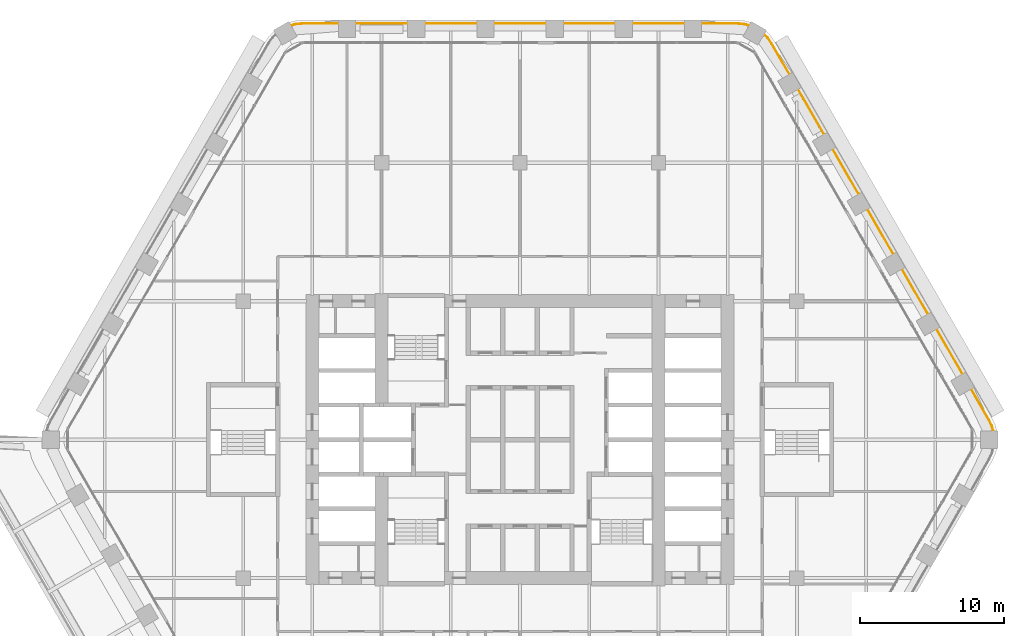
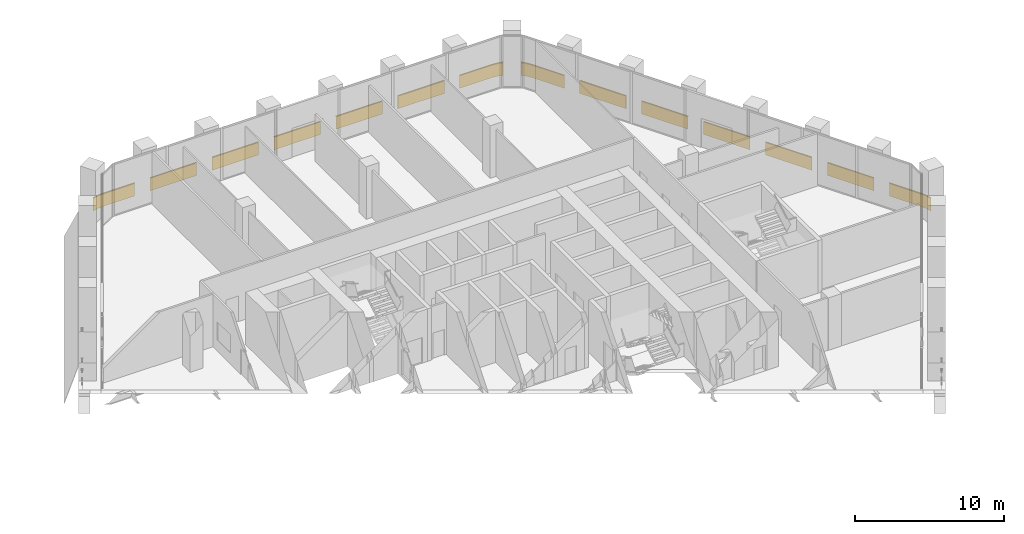
# One storey, part 27 of 27: 2 railings.
"""IFC4 building model written with IfcOpenShell, lengths in metres."""

import ifcopenshell
import ifcopenshell.guid

model = None  # the IFC model being written
_history = None  # IfcOwnerHistory: only IFC2X3 demands one
_inside = {}  # id of a spatial element -> (the spatial element, [elements in it])
_under = {}  # id of a project, library or spatial element -> (it, [spatial elements below it])
_declared = {}  # id of a project -> (the project, [libraries it declares])
_typed = {}  # id of a type object -> (the type object, [elements of that type])
_made_of = {}  # id of a material, layer set ... -> (it, [elements and type objects made of it])


def new_model(schema):
    """Start an empty IFC model of exactly this schema.

    Asked for "IFC4X3", IfcOpenShell would pick the latest addendum, in which some entities
    have other attributes; the version numbers below select the first issue.
    IFC2X3 requires an IfcOwnerHistory on every rooted entity: one is made here for all.
    """
    global model, _history
    if schema == "IFC4X3":
        model = ifcopenshell.file(schema_version=(4, 3, 0, 0))
    else:
        model = ifcopenshell.file(schema=schema)
    _inside.clear()
    _under.clear()
    _declared.clear()
    _typed.clear()
    _made_of.clear()
    _history = None
    if model.schema == "IFC2X3":
        org = make("IfcOrganization", Name="unknown")
        user = make(
            "IfcPersonAndOrganization",
            ThePerson=make("IfcPerson", FamilyName="unknown"),
            TheOrganization=org,
        )
        app = make(
            "IfcApplication",
            ApplicationDeveloper=org,
            Version="unknown",
            ApplicationFullName="unknown",
            ApplicationIdentifier="unknown",
        )
        _history = make(
            "IfcOwnerHistory",
            OwningUser=user,
            OwningApplication=app,
            ChangeAction="ADDED",
            CreationDate=0,
        )
    return model


def make(cls, **values):
    """One entity of the class cls with the attributes given. An attribute that is None is left unset."""
    return model.create_entity(
        cls, **{name: value for name, value in values.items() if value is not None}
    )


def rooted(cls, **values):
    """An entity with a GlobalId (a new one), such as an element, a storey or a relation."""
    return make(cls, GlobalId=ifcopenshell.guid.new(), OwnerHistory=_history, **values)


def si_unit(unit_type, name, prefix=None):
    """IfcSIUnit, for example si_unit("LENGTHUNIT", "METRE", prefix="MILLI")."""
    return make("IfcSIUnit", UnitType=unit_type, Prefix=prefix, Name=name)


def assignment(units):
    """IfcUnitAssignment: the units of a project."""
    return None if units is None else make("IfcUnitAssignment", Units=units)


def point(xyz):
    """IfcCartesianPoint."""
    return None if xyz is None else make("IfcCartesianPoint", Coordinates=xyz)


def direction(xyz):
    """IfcDirection."""
    return None if xyz is None else make("IfcDirection", DirectionRatios=xyz)


def frame(location, z_axis=None, x_axis=None):
    """IfcAxis2Placement3D, a coordinate frame: its origin and axes. An axis left out is left unset."""
    return make(
        "IfcAxis2Placement3D",
        Location=point(location),
        Axis=direction(z_axis),
        RefDirection=direction(x_axis),
    )


def frame_2d(location, x_axis=None):
    """IfcAxis2Placement2D, a coordinate frame in the plane: its origin and x axis."""
    return make(
        "IfcAxis2Placement2D", Location=point(location), RefDirection=direction(x_axis)
    )


def origin():
    """The frame at (0, 0, 0) with its axes left unset."""
    return frame((0.0, 0.0, 0.0))


def origin_2d():
    """The frame at (0, 0) in the plane with its x axis left unset."""
    return frame_2d((0.0, 0.0))


def place(relative_to, where):
    """IfcLocalPlacement: puts the frame where relative to a parent placement (None: the world)."""
    return make(
        "IfcLocalPlacement", PlacementRelTo=relative_to, RelativePlacement=where
    )


def context(
    kind, dimensions, precision=None, world=None, true_north=None, identifier=None
):
    """IfcGeometricRepresentationContext, for example the 3D "Model" context."""
    return make(
        "IfcGeometricRepresentationContext",
        ContextIdentifier=identifier,
        ContextType=kind,
        CoordinateSpaceDimension=dimensions,
        Precision=precision,
        WorldCoordinateSystem=world,
        TrueNorth=true_north,
    )


def subcontext(parent, identifier, kind, view, scale=None):
    """IfcGeometricRepresentationSubContext, for example "Body" below "Model"."""
    return make(
        "IfcGeometricRepresentationSubContext",
        ContextIdentifier=identifier,
        ContextType=kind,
        ParentContext=parent,
        TargetScale=scale,
        TargetView=view,
    )


def project(units=None, contexts=None):
    """IfcProject with its units and contexts."""
    return rooted(
        "IfcProject",
        Name="project",
        RepresentationContexts=contexts,
        UnitsInContext=assignment(units),
    )


def spatial(cls, under=None, at=None, **own):
    """A site, building, storey or space (cls), placed at a placement, below another one or the project."""
    s = rooted(cls, ObjectPlacement=at, **own)
    if under is not None:
        _under.setdefault(under.id(), (under, []))[1].append(s)
    return s


def profile(cls, at=None, kind="AREA", **sizes):
    """A parametric profile (cls). Its sizes go by their IFC names, for example OverallWidth=200.0."""
    return make(cls, ProfileType=kind, Position=at, **sizes)


def rectangle(**sizes):
    """IfcRectangleProfileDef."""
    return profile("IfcRectangleProfileDef", **sizes)


def extrude(swept, where, along, depth):
    """IfcExtrudedAreaSolid: the profile swept, set in the frame where, extruded along a direction by depth."""
    return make(
        "IfcExtrudedAreaSolid",
        SweptArea=swept,
        Position=where,
        ExtrudedDirection=direction(along),
        Depth=depth,
    )


def shape(context_of_items, identifier, shape_type, items):
    """IfcShapeRepresentation: the items that make up one representation, for example the "Body"."""
    return make(
        "IfcShapeRepresentation",
        ContextOfItems=context_of_items,
        RepresentationIdentifier=identifier,
        RepresentationType=shape_type,
        Items=items,
    )


def material(Name=None, Category=None):
    """IfcMaterial."""
    return make("IfcMaterial", Name=Name, Category=Category)


def made_of(thing, what):
    """Note that an element or type object is made of a material, layer set ...; save() writes the relation."""
    if what is not None:
        _made_of.setdefault(what.id(), (what, []))[1].append(thing)
    return thing


def type_object(cls, material=None, **own):
    """A type object (cls), such as IfcWallType, which elements share."""
    return made_of(rooted(cls, **own), material)


def element(
    cls,
    number,
    at=None,
    inside=None,
    cuts=None,
    type_object=None,
    material=None,
    context=None,
    identifier="Body",
    shape_type=None,
    held_by="IfcProductDefinitionShape",
    body=None,
    shapes=None,
    **own,
):
    """One element of the class cls, such as IfcWall. Its Tag is "e" and its number.

    at: its placement. inside: the storey or other place that contains it. cuts: it is an
    opening in that element (IfcRelVoidsElement). A single representation is given by context,
    identifier, shape_type and body (its items); several are given by shapes. held_by: the class
    of the entity that holds the representations. save() writes the other relations.
    """
    e = rooted(cls, Tag="e%d" % number, ObjectPlacement=at, **own)
    if body is not None:
        shapes = [shape(context, identifier, shape_type, body)]
    if shapes is not None:
        e.Representation = make(held_by, Representations=shapes)
    if inside is not None:
        _inside.setdefault(inside.id(), (inside, []))[1].append(e)
    if cuts is not None:
        rooted(
            "IfcRelVoidsElement", RelatingBuildingElement=cuts, RelatedOpeningElement=e
        )
    if type_object is not None:
        _typed.setdefault(type_object.id(), (type_object, []))[1].append(e)
    return made_of(e, material)


def aggregate(whole, parts):
    """IfcRelAggregates: a whole, such as a stair, and the parts it consists of."""
    return rooted("IfcRelAggregates", RelatingObject=whole, RelatedObjects=parts)


def save(model, path):
    """Write the relations noted so far, then the file.

    IfcRelAggregates (storeys below a building ...), IfcRelContainedInSpatialStructure (elements
    in a storey), IfcRelDefinesByType, IfcRelAssociatesMaterial and IfcRelDeclares: one each for
    every whole, place, type object, material and project.
    """
    for whole, parts in _under.values():
        aggregate(whole, parts)
    for where, things in _inside.values():
        rooted(
            "IfcRelContainedInSpatialStructure",
            RelatedElements=things,
            RelatingStructure=where,
        )
    for kind, things in _typed.values():
        rooted("IfcRelDefinesByType", RelatedObjects=things, RelatingType=kind)
    for what, things in _made_of.values():
        rooted("IfcRelAssociatesMaterial", RelatedObjects=things, RelatingMaterial=what)
    for by, libraries in _declared.values():
        rooted("IfcRelDeclares", RelatingContext=by, RelatedDefinitions=libraries)
    model.write(path)


model = new_model("IFC4")

# Units and contexts
model_context = context("Model", 3, precision=1e-05, world=origin(), true_north=direction((0.0, 1.0)))
body_context = subcontext(model_context, "Body", "Model", "MODEL_VIEW")
ifc_project = project(units=[si_unit("LENGTHUNIT", "METRE"), si_unit("AREAUNIT", "SQUARE_METRE"), si_unit("VOLUMEUNIT", "CUBIC_METRE"), si_unit("PLANEANGLEUNIT", "RADIAN"), si_unit("MASSUNIT", "GRAM", prefix="KILO")], contexts=[model_context])

# Site, building, storey
site_placement = place(None, origin())
site = spatial("IfcSite", under=ifc_project, at=site_placement, CompositionType="ELEMENT")
building_placement = place(site_placement, origin())
building = spatial("IfcBuilding", under=site, at=building_placement, Name="Kolab Exchange Tower", CompositionType="ELEMENT")
storey_placement = place(building_placement, frame((0.0, 0.0, 109.39990234375)))
storey = spatial("IfcBuildingStorey", under=building, at=storey_placement, Name="L21", CompositionType="ELEMENT", Elevation=109.39990234375)

# Railings
ifc_material = material(Name="Steel S235", Category="steel")
railing_type = type_object("IfcRailingType", Name="GUARD 1100 GLASS BALUSTRADE AND STEEL TOP RAIL", PredefinedType="GUARDRAIL", material=ifc_material)
railing_1_placement = place(storey_placement, frame((15.89208984375, 28.7138671875, 0.0)))
element("IfcRailing", 1, at=railing_1_placement, inside=storey, type_object=railing_type, Name="Guard", PredefinedType="GUARDRAIL", context=body_context, shape_type="SweptSolid", body=[
    extrude(rectangle(XDim=0.05, YDim=0.05, at=origin_2d()), frame((0.0, 0.0, 1.0751953125), z_axis=(-0.966008746817, 0.258509382951, 0.0), x_axis=(-0.258509382951, -0.966008746817, 0.0)), (0.0, 0.0, 1.0), 0.35888671875),
    extrude(rectangle(XDim=0.012, YDim=1.05009765625, at=frame_2d((0.0, 0.525146484375))), frame((0.0, 0.0, 0.0), z_axis=(-0.966008746817, 0.258509382951, 0.0), x_axis=(-0.258509382951, -0.966008746817, 0.0)), (0.0, 0.0, 1.0), 0.35888671875),
    extrude(rectangle(XDim=0.05, YDim=0.05, at=origin_2d()), frame((-0.3466796875, 0.0927734375, 1.0751953125), z_axis=(-0.996200348447, 0.087091134757, 0.0), x_axis=(-0.087091134757, -0.996200348447, 0.0)), (0.0, 0.0, 1.0), 0.479248046875),
    extrude(rectangle(XDim=0.012, YDim=1.05009765625, at=frame_2d((0.0, 0.525146484375))), frame((-0.3466796875, 0.0927734375, 0.0), z_axis=(-0.996200348447, 0.087091134757, 0.0), x_axis=(-0.087091134757, -0.996200348447, 0.0)), (0.0, 0.0, 1.0), 0.479248046875),
    extrude(rectangle(XDim=0.05, YDim=0.05, at=origin_2d()), frame((-0.82421875, 0.134521484375, 1.0751953125), z_axis=(-1.0, 0.0, 0.0), x_axis=(0.0, -1.0, 0.0)), (0.0, 0.0, 1.0), 2.4677734375),
    extrude(rectangle(XDim=0.012, YDim=1.05009765625, at=frame_2d((0.0, 0.525146484375))), frame((-0.82421875, 0.134521484375, 0.0), z_axis=(-1.0, 0.0, 0.0), x_axis=(0.0, -1.0, 0.0)), (0.0, 0.0, 1.0), 2.4677734375),
    extrude(rectangle(XDim=0.05, YDim=0.05, at=origin_2d()), frame((-4.4921875, 0.134521484375, 1.0751953125), z_axis=(-1.0, 0.0, 0.0), x_axis=(0.0, -1.0, 0.0)), (0.0, 0.0, 1.0), 3.599853515625),
    extrude(rectangle(XDim=0.012, YDim=1.05009765625, at=frame_2d((0.0, 0.525146484375))), frame((-4.4921875, 0.134521484375, 0.0), z_axis=(-1.0, 0.0, 0.0), x_axis=(0.0, -1.0, 0.0)), (0.0, 0.0, 1.0), 3.599853515625),
    extrude(rectangle(XDim=0.05, YDim=0.05, at=origin_2d()), frame((-9.2919921875, 0.134521484375, 1.0751953125), z_axis=(-1.0, 0.0, 0.0), x_axis=(0.0, -1.0, 0.0)), (0.0, 0.0, 1.0), 3.60009765625),
    extrude(rectangle(XDim=0.012, YDim=1.05009765625, at=frame_2d((0.0, 0.525146484375))), frame((-9.2919921875, 0.134521484375, 0.0), z_axis=(-1.0, 0.0, 0.0), x_axis=(0.0, -1.0, 0.0)), (0.0, 0.0, 1.0), 3.60009765625),
    extrude(rectangle(XDim=0.05, YDim=0.05, at=origin_2d()), frame((-14.092041015625, 0.134521484375, 1.0751953125), z_axis=(-1.0, 0.0, 0.0), x_axis=(0.0, -1.0, 0.0)), (0.0, 0.0, 1.0), 3.60009765625),
    extrude(rectangle(XDim=0.012, YDim=1.05009765625, at=frame_2d((0.0, 0.525146484375))), frame((-14.092041015625, 0.134521484375, 0.0), z_axis=(-1.0, 0.0, 0.0), x_axis=(0.0, -1.0, 0.0)), (0.0, 0.0, 1.0), 3.60009765625),
    extrude(rectangle(XDim=0.05, YDim=0.05, at=origin_2d()), frame((-18.89208984375, 0.134521484375, 1.0751953125), z_axis=(-1.0, 0.0, 0.0), x_axis=(0.0, -1.0, 0.0)), (0.0, 0.0, 1.0), 3.60009765625),
    extrude(rectangle(XDim=0.012, YDim=1.05009765625, at=frame_2d((0.0, 0.525146484375))), frame((-18.89208984375, 0.134521484375, 0.0), z_axis=(-1.0, 0.0, 0.0), x_axis=(0.0, -1.0, 0.0)), (0.0, 0.0, 1.0), 3.60009765625),
    extrude(rectangle(XDim=0.05, YDim=0.05, at=origin_2d()), frame((-23.692138671875, 0.134521484375, 1.0751953125), z_axis=(-1.0, 0.0, 0.0), x_axis=(0.0, -1.0, 0.0)), (0.0, 0.0, 1.0), 3.599853515625),
    extrude(rectangle(XDim=0.012, YDim=1.05009765625, at=frame_2d((0.0, 0.525146484375))), frame((-23.692138671875, 0.134521484375, 0.0), z_axis=(-1.0, 0.0, 0.0), x_axis=(0.0, -1.0, 0.0)), (0.0, 0.0, 1.0), 3.599853515625),
    extrude(rectangle(XDim=0.05, YDim=0.05, at=origin_2d()), frame((-28.4921875, 0.134521484375, 1.0751953125), z_axis=(-1.0, 0.0, 0.0), x_axis=(0.0, -1.0, 0.0)), (0.0, 0.0, 1.0), 2.4677734375),
    extrude(rectangle(XDim=0.012, YDim=1.05009765625, at=frame_2d((0.0, 0.525146484375))), frame((-28.4921875, 0.134521484375, 0.0), z_axis=(-1.0, 0.0, 0.0), x_axis=(0.0, -1.0, 0.0)), (0.0, 0.0, 1.0), 2.4677734375),
    extrude(rectangle(XDim=0.05, YDim=0.05, at=origin_2d()), frame((-30.9599609375, 0.134521484375, 1.0751953125), z_axis=(-0.996200348447, -0.087091134757, 0.0), x_axis=(0.087091134757, -0.996200348447, 0.0)), (0.0, 0.0, 1.0), 0.479248046875),
    extrude(rectangle(XDim=0.012, YDim=1.05009765625, at=frame_2d((0.0, 0.525146484375))), frame((-30.9599609375, 0.134521484375, 0.0), z_axis=(-0.996200348447, -0.087091134757, 0.0), x_axis=(0.087091134757, -0.996200348447, 0.0)), (0.0, 0.0, 1.0), 0.479248046875),
    extrude(rectangle(XDim=0.05, YDim=0.05, at=origin_2d()), frame((-31.4375, 0.0927734375, 1.0751953125), z_axis=(-0.966008746817, -0.258509382951, 0.0), x_axis=(0.258509382951, -0.966008746817, 0.0)), (0.0, 0.0, 1.0), 0.35888671875),
    extrude(rectangle(XDim=0.012, YDim=1.05009765625, at=frame_2d((0.0, 0.525146484375))), frame((-31.4375, 0.0927734375, 0.0), z_axis=(-0.966008746817, -0.258509382951, 0.0), x_axis=(0.258509382951, -0.966008746817, 0.0)), (0.0, 0.0, 1.0), 0.35888671875),
])
railing_2_placement = place(storey_placement, frame((32.81298828125, 0.593994140625, 0.0)))
element("IfcRailing", 2, at=railing_2_placement, inside=storey, type_object=railing_type, Name="Guard", PredefinedType="GUARDRAIL", context=body_context, shape_type="SweptSolid", body=[
    extrude(rectangle(XDim=0.05, YDim=0.05, at=origin_2d()), frame((0.0, 0.0, 1.0751953125), z_axis=(-0.259144041577, 0.965838685141, 0.0), x_axis=(-0.965838685141, -0.259144041577, 0.0)), (0.0, 0.0, 1.0), 0.35888671875),
    extrude(rectangle(XDim=0.012, YDim=1.05009765625, at=frame_2d((0.0, 0.525146484375))), frame((0.0, 0.0, 0.0), z_axis=(-0.259144041577, 0.965838685141, 0.0), x_axis=(-0.965838685141, -0.259144041577, 0.0)), (0.0, 0.0, 1.0), 0.35888671875),
    extrude(rectangle(XDim=0.05, YDim=0.05, at=origin_2d()), frame((-0.093017578125, 0.3466796875, 1.0751953125), z_axis=(-0.422383329074, 0.906417300872, 0.0), x_axis=(-0.906417300872, -0.422383329074, 0.0)), (0.0, 0.0, 1.0), 0.479248046875),
    extrude(rectangle(XDim=0.012, YDim=1.05009765625, at=frame_2d((0.0, 0.525146484375))), frame((-0.093017578125, 0.3466796875, 0.0), z_axis=(-0.422383329074, 0.906417300872, 0.0), x_axis=(-0.906417300872, -0.422383329074, 0.0)), (0.0, 0.0, 1.0), 0.479248046875),
    extrude(rectangle(XDim=0.05, YDim=0.05, at=origin_2d()), frame((-0.29541015625, 0.781005859375, 1.0751953125), z_axis=(-0.500064973171, 0.865987888257, 0.0), x_axis=(-0.865987888257, -0.500064973171, 0.0)), (0.0, 0.0, 1.0), 2.468017578125),
    extrude(rectangle(XDim=0.012, YDim=1.05009765625, at=frame_2d((0.0, 0.525146484375))), frame((-0.29541015625, 0.781005859375, 0.0), z_axis=(-0.500064973171, 0.865987888257, 0.0), x_axis=(-0.865987888257, -0.500064973171, 0.0)), (0.0, 0.0, 1.0), 2.468017578125),
    extrude(rectangle(XDim=0.05, YDim=0.05, at=origin_2d()), frame((-2.12939453125, 3.95751953125, 1.0751953125), z_axis=(-0.500012057535, 0.866018442252, 0.0), x_axis=(-0.866018442252, -0.500012057535, 0.0)), (0.0, 0.0, 1.0), 3.60009765625),
    extrude(rectangle(XDim=0.012, YDim=1.05009765625, at=frame_2d((0.0, 0.525146484375))), frame((-2.12939453125, 3.95751953125, 0.0), z_axis=(-0.500012057535, 0.866018442252, 0.0), x_axis=(-0.866018442252, -0.500012057535, 0.0)), (0.0, 0.0, 1.0), 3.60009765625),
    extrude(rectangle(XDim=0.05, YDim=0.05, at=origin_2d()), frame((-4.529541015625, 8.114501953125, 1.0751953125), z_axis=(-0.500012057535, 0.866018442252, 0.0), x_axis=(-0.866018442252, -0.500012057535, 0.0)), (0.0, 0.0, 1.0), 3.60009765625),
    extrude(rectangle(XDim=0.012, YDim=1.05009765625, at=frame_2d((0.0, 0.525146484375))), frame((-4.529541015625, 8.114501953125, 0.0), z_axis=(-0.500012057535, 0.866018442252, 0.0), x_axis=(-0.866018442252, -0.500012057535, 0.0)), (0.0, 0.0, 1.0), 3.60009765625),
    extrude(rectangle(XDim=0.05, YDim=0.05, at=origin_2d()), frame((-6.929443359375, 12.271484375, 1.0751953125), z_axis=(-0.500012057535, 0.866018442252, 0.0), x_axis=(-0.866018442252, -0.500012057535, 0.0)), (0.0, 0.0, 1.0), 3.60009765625),
    extrude(rectangle(XDim=0.012, YDim=1.05009765625, at=frame_2d((0.0, 0.525146484375))), frame((-6.929443359375, 12.271484375, 0.0), z_axis=(-0.500012057535, 0.866018442252, 0.0), x_axis=(-0.866018442252, -0.500012057535, 0.0)), (0.0, 0.0, 1.0), 3.60009765625),
    extrude(rectangle(XDim=0.05, YDim=0.05, at=origin_2d()), frame((-9.32958984375, 16.42822265625, 1.0751953125), z_axis=(-0.499961193289, 0.866047807691, 0.0), x_axis=(-0.866047807691, -0.499961193289, 0.0)), (0.0, 0.0, 1.0), 3.599853515625),
    extrude(rectangle(XDim=0.012, YDim=1.05009765625, at=frame_2d((0.0, 0.525146484375))), frame((-9.32958984375, 16.42822265625, 0.0), z_axis=(-0.499961193289, 0.866047807691, 0.0), x_axis=(-0.866047807691, -0.499961193289, 0.0)), (0.0, 0.0, 1.0), 3.599853515625),
    extrude(rectangle(XDim=0.05, YDim=0.05, at=origin_2d()), frame((-11.7294921875, 20.585205078125, 1.0751953125), z_axis=(-0.500012057535, 0.866018442252, 0.0), x_axis=(-0.866018442252, -0.500012057535, 0.0)), (0.0, 0.0, 1.0), 3.60009765625),
    extrude(rectangle(XDim=0.012, YDim=1.05009765625, at=frame_2d((0.0, 0.525146484375))), frame((-11.7294921875, 20.585205078125, 0.0), z_axis=(-0.500012057535, 0.866018442252, 0.0), x_axis=(-0.866018442252, -0.500012057535, 0.0)), (0.0, 0.0, 1.0), 3.60009765625),
    extrude(rectangle(XDim=0.05, YDim=0.05, at=origin_2d()), frame((-14.12939453125, 24.7421875, 1.0751953125), z_axis=(-0.500064973171, 0.865987888257, 0.0), x_axis=(-0.865987888257, -0.500064973171, 0.0)), (0.0, 0.0, 1.0), 2.468017578125),
    extrude(rectangle(XDim=0.012, YDim=1.05009765625, at=frame_2d((0.0, 0.525146484375))), frame((-14.12939453125, 24.7421875, 0.0), z_axis=(-0.500064973171, 0.865987888257, 0.0), x_axis=(-0.865987888257, -0.500064973171, 0.0)), (0.0, 0.0, 1.0), 2.468017578125),
    extrude(rectangle(XDim=0.05, YDim=0.05, at=origin_2d()), frame((-15.363525390625, 26.87939453125, 1.0751953125), z_axis=(-0.573359816273, 0.819303680624, 0.0), x_axis=(-0.819303680624, -0.573359816273, 0.0)), (0.0, 0.0, 1.0), 0.4794921875),
    extrude(rectangle(XDim=0.012, YDim=1.05009765625, at=frame_2d((0.0, 0.525146484375))), frame((-15.363525390625, 26.87939453125, 0.0), z_axis=(-0.573359816273, 0.819303680624, 0.0), x_axis=(-0.819303680624, -0.573359816273, 0.0)), (0.0, 0.0, 1.0), 0.4794921875),
    extrude(rectangle(XDim=0.05, YDim=0.05, at=origin_2d()), frame((-15.638427734375, 27.272216796875, 1.0751953125), z_axis=(-0.707106781187, 0.707106781187, 0.0), x_axis=(-0.707106781187, -0.707106781187, 0.0)), (0.0, 0.0, 1.0), 0.358642578125),
    extrude(rectangle(XDim=0.012, YDim=1.05009765625, at=frame_2d((0.0, 0.525146484375))), frame((-15.638427734375, 27.272216796875, 0.0), z_axis=(-0.707106781187, 0.707106781187, 0.0), x_axis=(-0.707106781187, -0.707106781187, 0.0)), (0.0, 0.0, 1.0), 0.358642578125),
])

save(model, "model.ifc")
